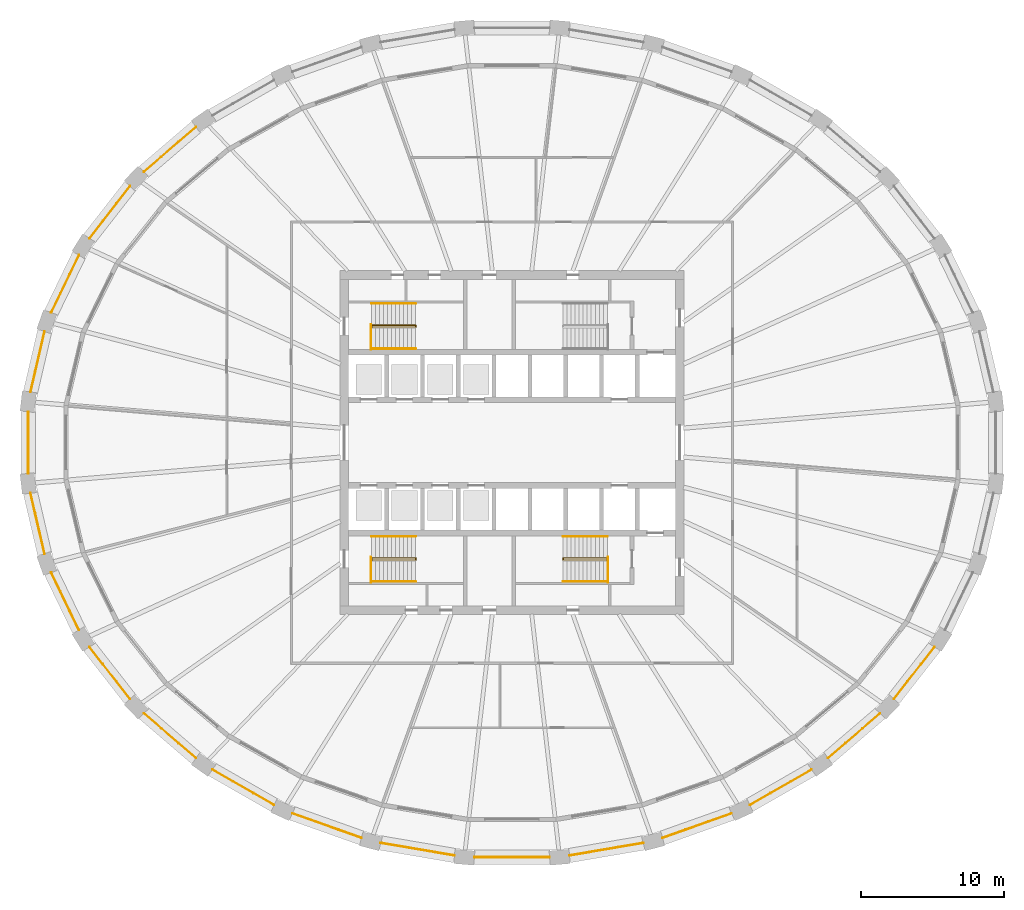
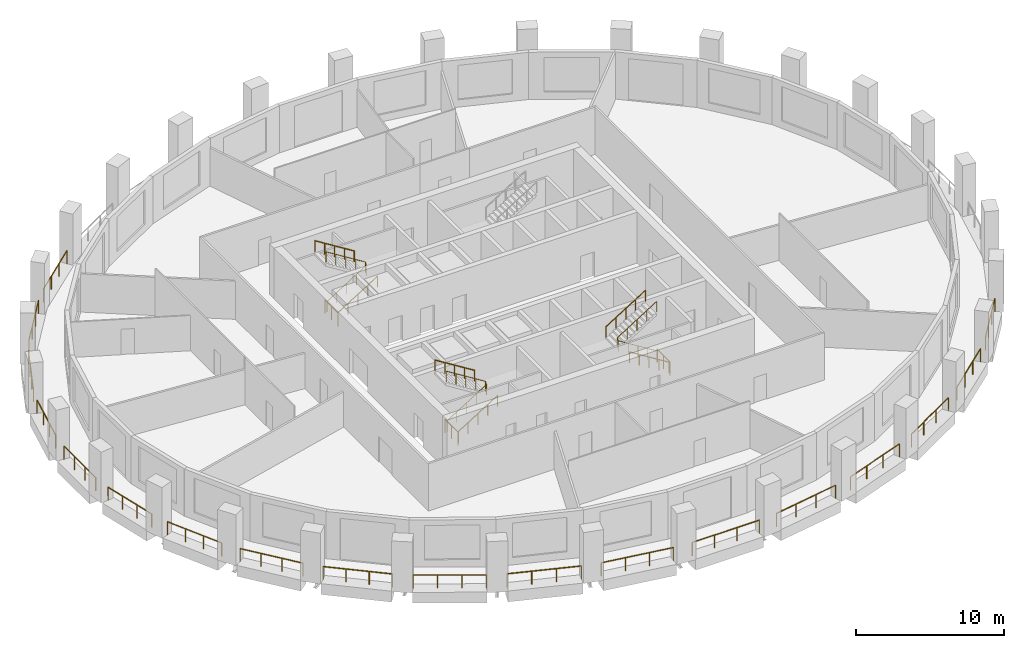
# One storey, part 8 of 10: 30 railings.
"""IFC4 building model written with IfcOpenShell, lengths in metres."""

from ifc_helpers import new_model, si_unit, direction, frame, origin, origin_2d, place, context, subcontext, project, spatial, circle, extrude, material, type_object, element, save


model = new_model("IFC4")

# Units and contexts
model_context = context("Model", 3, precision=1e-05, world=origin(), true_north=direction((0.0, 1.0)))
body_context = subcontext(model_context, "Body", "Model", "MODEL_VIEW")
ifc_project = project(units=[si_unit("LENGTHUNIT", "METRE"), si_unit("AREAUNIT", "SQUARE_METRE"), si_unit("VOLUMEUNIT", "CUBIC_METRE"), si_unit("PLANEANGLEUNIT", "RADIAN"), si_unit("MASSUNIT", "GRAM", prefix="KILO")], contexts=[model_context])

# Site, building, storey
site_placement = place(None, origin())
site = spatial("IfcSite", under=ifc_project, at=site_placement, CompositionType="ELEMENT")
building_placement = place(site_placement, origin())
building = spatial("IfcBuilding", under=site, at=building_placement, Name="Halqa Exchange Tower", CompositionType="ELEMENT")
storey_placement = place(building_placement, frame((0.0, 0.0, 154.89990234375)))
storey = spatial("IfcBuildingStorey", under=building, at=storey_placement, Name="L35", CompositionType="ELEMENT", Elevation=154.89990234375)

# Railings
ifc_material = material(Name="Stainless steel", Category="steel")
railing_type_1 = type_object("IfcRailingType", Name="Guard 1100 stainless steel", PredefinedType="GUARDRAIL", material=ifc_material)
railing_1_placement = place(storey_placement, frame((-22.05078125, 22.02001953125, 0.0)))
element("IfcRailing", 1, at=railing_1_placement, inside=storey, type_object=railing_type_1, Name="Loggia guard 12", PredefinedType="GUARDRAIL", context=body_context, shape_type="SweptSolid", body=[
    extrude(circle(Radius=0.02392578125, at=origin_2d()), frame((0.0, 0.0, 1.076171875), z_axis=(-0.759245815902, -0.650803957452, 0.0), x_axis=(0.650803957452, -0.759245815902, 0.0)), (0.0, 0.0, 1.0), 4.793212890625),
    extrude(circle(Radius=0.02099609375, at=origin_2d()), origin(), (0.0, 0.0, 1.0), 1.052001953125),
    extrude(circle(Radius=0.02099609375, at=origin_2d()), frame((-1.213134765625, -1.039794921875, 0.0)), (0.0, 0.0, 1.0), 1.052001953125),
    extrude(circle(Radius=0.02099609375, at=origin_2d()), frame((-2.426025390625, -2.07958984375, 0.0)), (0.0, 0.0, 1.0), 1.052001953125),
    extrude(circle(Radius=0.02099609375, at=origin_2d()), frame((-3.63916015625, -3.119384765625, 0.0)), (0.0, 0.0, 1.0), 1.052001953125),
])
railing_2_placement = place(storey_placement, frame((-26.65185546875, 17.89306640625, 0.0)))
element("IfcRailing", 2, at=railing_2_placement, inside=storey, type_object=railing_type_1, Name="Loggia guard 13", PredefinedType="GUARDRAIL", context=body_context, shape_type="SweptSolid", body=[
    extrude(circle(Radius=0.02392578125, at=origin_2d()), frame((0.0, 0.0, 1.076171875), z_axis=(-0.614787396714, -0.788692878655, 0.0), x_axis=(0.788692878655, -0.614787396714, 0.0)), (0.0, 0.0, 1.0), 4.60888671875),
    extrude(circle(Radius=0.02099609375, at=origin_2d()), origin(), (0.0, 0.0, 1.0), 1.052001953125),
    extrude(circle(Radius=0.02099609375, at=origin_2d()), frame((-0.944580078125, -1.211669921875, 0.0)), (0.0, 0.0, 1.0), 1.052001953125),
    extrude(circle(Radius=0.02099609375, at=origin_2d()), frame((-1.888916015625, -2.42333984375, 0.0)), (0.0, 0.0, 1.0), 1.052001953125),
    extrude(circle(Radius=0.02099609375, at=origin_2d()), frame((-2.83349609375, -3.635009765625, 0.0)), (0.0, 0.0, 1.0), 1.052001953125),
])
railing_3_placement = place(storey_placement, frame((-30.22021484375, 13.07568359375, 0.0)))
element("IfcRailing", 3, at=railing_3_placement, inside=storey, type_object=railing_type_1, Name="Loggia guard 14", PredefinedType="GUARDRAIL", context=body_context, shape_type="SweptSolid", body=[
    extrude(circle(Radius=0.02392578125, at=origin_2d()), frame((0.0, 0.0, 1.076171875), z_axis=(-0.435143450916, -0.900361137058, 0.0), x_axis=(0.900361137058, -0.435143450916, 0.0)), (0.0, 0.0, 1.0), 4.44873046875),
    extrude(circle(Radius=0.02099609375, at=origin_2d()), origin(), (0.0, 0.0, 1.0), 1.052001953125),
    extrude(circle(Radius=0.02099609375, at=origin_2d()), frame((-0.645263671875, -1.335205078125, 0.0)), (0.0, 0.0, 1.0), 1.052001953125),
    extrude(circle(Radius=0.02099609375, at=origin_2d()), frame((-1.29052734375, -2.670166015625, 0.0)), (0.0, 0.0, 1.0), 1.052001953125),
    extrude(circle(Radius=0.02099609375, at=origin_2d()), frame((-1.935791015625, -4.00537109375, 0.0)), (0.0, 0.0, 1.0), 1.052001953125),
])
railing_4_placement = place(storey_placement, frame((-32.61865234375, 7.75830078125, 0.0)))
element("IfcRailing", 4, at=railing_4_placement, inside=storey, type_object=railing_type_1, Name="Loggia guard 15", PredefinedType="GUARDRAIL", context=body_context, shape_type="SweptSolid", body=[
    extrude(circle(Radius=0.02392578125, at=origin_2d()), frame((0.0, 0.0, 1.076171875), z_axis=(-0.226083943623, -0.974107822798, 0.0), x_axis=(0.974107822798, -0.226083943623, 0.0)), (0.0, 0.0, 1.0), 4.3388671875),
    extrude(circle(Radius=0.02099609375, at=origin_2d()), origin(), (0.0, 0.0, 1.0), 1.052001953125),
    extrude(circle(Radius=0.02099609375, at=origin_2d()), frame((-0.326904296875, -1.408935546875, 0.0)), (0.0, 0.0, 1.0), 1.052001953125),
    extrude(circle(Radius=0.02099609375, at=origin_2d()), frame((-0.654052734375, -2.817626953125, 0.0)), (0.0, 0.0, 1.0), 1.052001953125),
    extrude(circle(Radius=0.02099609375, at=origin_2d()), frame((-0.98095703125, -4.2265625, 0.0)), (0.0, 0.0, 1.0), 1.052001953125),
])
railing_5_placement = place(storey_placement, frame((-33.7578125, 2.14990234375, 0.0)))
element("IfcRailing", 5, at=railing_5_placement, inside=storey, type_object=railing_type_1, Name="Loggia guard 16", PredefinedType="GUARDRAIL", context=body_context, shape_type="SweptSolid", body=[
    extrude(circle(Radius=0.02392578125, at=origin_2d()), frame((0.0, 0.0, 1.076171875), z_axis=(0.0, -1.0, 0.0), x_axis=(1.0, 0.0, 0.0)), (0.0, 0.0, 1.0), 4.2998046875),
    extrude(circle(Radius=0.02099609375, at=origin_2d()), origin(), (0.0, 0.0, 1.0), 1.052001953125),
    extrude(circle(Radius=0.02099609375, at=origin_2d()), frame((0.0, -1.433349609375, 0.0)), (0.0, 0.0, 1.0), 1.052001953125),
    extrude(circle(Radius=0.02099609375, at=origin_2d()), frame((0.0, -2.866455078125, 0.0)), (0.0, 0.0, 1.0), 1.052001953125),
    extrude(circle(Radius=0.02099609375, at=origin_2d()), frame((0.0, -4.2998046875, 0.0)), (0.0, 0.0, 1.0), 1.052001953125),
])
railing_6_placement = place(storey_placement, frame((-33.599609375, -3.53173828125, 0.0)))
element("IfcRailing", 6, at=railing_6_placement, inside=storey, type_object=railing_type_1, Name="Loggia guard 17", PredefinedType="GUARDRAIL", context=body_context, shape_type="SweptSolid", body=[
    extrude(circle(Radius=0.02392578125, at=origin_2d()), frame((0.0, 0.0, 1.076171875), z_axis=(0.226083943623, -0.974107822798, 0.0), x_axis=(0.974107822798, 0.226083943623, 0.0)), (0.0, 0.0, 1.0), 4.3388671875),
    extrude(circle(Radius=0.02099609375, at=origin_2d()), origin(), (0.0, 0.0, 1.0), 1.052001953125),
    extrude(circle(Radius=0.02099609375, at=origin_2d()), frame((0.326904296875, -1.408935546875, 0.0)), (0.0, 0.0, 1.0), 1.052001953125),
    extrude(circle(Radius=0.02099609375, at=origin_2d()), frame((0.654052734375, -2.817626953125, 0.0)), (0.0, 0.0, 1.0), 1.052001953125),
    extrude(circle(Radius=0.02099609375, at=origin_2d()), frame((0.98095703125, -4.2265625, 0.0)), (0.0, 0.0, 1.0), 1.052001953125),
])
railing_7_placement = place(storey_placement, frame((-32.156005859375, -9.0703125, 0.0)))
element("IfcRailing", 7, at=railing_7_placement, inside=storey, type_object=railing_type_1, Name="Loggia guard 18", PredefinedType="GUARDRAIL", context=body_context, shape_type="SweptSolid", body=[
    extrude(circle(Radius=0.02392578125, at=origin_2d()), frame((0.0, 0.0, 1.076171875), z_axis=(0.435143450916, -0.900361137058, 0.0), x_axis=(0.900361137058, 0.435143450916, 0.0)), (0.0, 0.0, 1.0), 4.44873046875),
    extrude(circle(Radius=0.02099609375, at=origin_2d()), origin(), (0.0, 0.0, 1.0), 1.052001953125),
    extrude(circle(Radius=0.02099609375, at=origin_2d()), frame((0.645263671875, -1.335205078125, 0.0)), (0.0, 0.0, 1.0), 1.052001953125),
    extrude(circle(Radius=0.02099609375, at=origin_2d()), frame((1.29052734375, -2.670166015625, 0.0)), (0.0, 0.0, 1.0), 1.052001953125),
    extrude(circle(Radius=0.02099609375, at=origin_2d()), frame((1.935791015625, -4.00537109375, 0.0)), (0.0, 0.0, 1.0), 1.052001953125),
])
railing_8_placement = place(storey_placement, frame((-29.4853515625, -14.258056640625, 0.0)))
element("IfcRailing", 8, at=railing_8_placement, inside=storey, type_object=railing_type_1, Name="Loggia guard 19", PredefinedType="GUARDRAIL", context=body_context, shape_type="SweptSolid", body=[
    extrude(circle(Radius=0.02392578125, at=origin_2d()), frame((0.0, 0.0, 1.076171875), z_axis=(0.614787396714, -0.788692878655, 0.0), x_axis=(0.788692878655, 0.614787396714, 0.0)), (0.0, 0.0, 1.0), 4.60888671875),
    extrude(circle(Radius=0.02099609375, at=origin_2d()), origin(), (0.0, 0.0, 1.0), 1.052001953125),
    extrude(circle(Radius=0.02099609375, at=origin_2d()), frame((0.944580078125, -1.211669921875, 0.0)), (0.0, 0.0, 1.0), 1.052001953125),
    extrude(circle(Radius=0.02099609375, at=origin_2d()), frame((1.888916015625, -2.42333984375, 0.0)), (0.0, 0.0, 1.0), 1.052001953125),
    extrude(circle(Radius=0.02099609375, at=origin_2d()), frame((2.83349609375, -3.635009765625, 0.0)), (0.0, 0.0, 1.0), 1.052001953125),
])
railing_9_placement = place(storey_placement, frame((-25.68994140625, -18.900634765625, 0.0)))
element("IfcRailing", 9, at=railing_9_placement, inside=storey, type_object=railing_type_1, Name="Loggia guard 20", PredefinedType="GUARDRAIL", context=body_context, shape_type="SweptSolid", body=[
    extrude(circle(Radius=0.02392578125, at=origin_2d()), frame((0.0, 0.0, 1.076171875), z_axis=(0.759245815902, -0.650803957452, 0.0), x_axis=(0.650803957452, 0.759245815902, 0.0)), (0.0, 0.0, 1.0), 4.793212890625),
    extrude(circle(Radius=0.02099609375, at=origin_2d()), origin(), (0.0, 0.0, 1.0), 1.052001953125),
    extrude(circle(Radius=0.02099609375, at=origin_2d()), frame((1.213134765625, -1.039794921875, 0.0)), (0.0, 0.0, 1.0), 1.052001953125),
    extrude(circle(Radius=0.02099609375, at=origin_2d()), frame((2.426025390625, -2.07958984375, 0.0)), (0.0, 0.0, 1.0), 1.052001953125),
    extrude(circle(Radius=0.02099609375, at=origin_2d()), frame((3.63916015625, -3.119384765625, 0.0)), (0.0, 0.0, 1.0), 1.052001953125),
])
railing_10_placement = place(storey_placement, frame((-20.911865234375, -22.8232421875, 0.0)))
element("IfcRailing", 10, at=railing_10_placement, inside=storey, type_object=railing_type_1, Name="Loggia guard 21", PredefinedType="GUARDRAIL", context=body_context, shape_type="SweptSolid", body=[
    extrude(circle(Radius=0.02392578125, at=origin_2d()), frame((0.0, 0.0, 1.076171875), z_axis=(0.867750144397, -0.497000691044, 0.0), x_axis=(0.497000691044, 0.867750144397, 0.0)), (0.0, 0.0, 1.0), 4.9716796875),
    extrude(circle(Radius=0.02099609375, at=origin_2d()), origin(), (0.0, 0.0, 1.0), 1.052001953125),
    extrude(circle(Radius=0.02099609375, at=origin_2d()), frame((1.43798828125, -0.82373046875, 0.0)), (0.0, 0.0, 1.0), 1.052001953125),
    extrude(circle(Radius=0.02099609375, at=origin_2d()), frame((2.876220703125, -1.647216796875, 0.0)), (0.0, 0.0, 1.0), 1.052001953125),
    extrude(circle(Radius=0.02099609375, at=origin_2d()), frame((4.314208984375, -2.470947265625, 0.0)), (0.0, 0.0, 1.0), 1.052001953125),
])
railing_11_placement = place(storey_placement, frame((-15.33056640625, -25.876220703125, 0.0)))
element("IfcRailing", 11, at=railing_11_placement, inside=storey, type_object=railing_type_1, Name="Loggia guard 22", PredefinedType="GUARDRAIL", context=body_context, shape_type="SweptSolid", body=[
    extrude(circle(Radius=0.02392578125, at=origin_2d()), frame((0.0, 0.0, 1.076171875), z_axis=(0.942356449768, -0.334610701532, 0.0), x_axis=(0.334610701532, 0.942356449768, 0.0)), (0.0, 0.0, 1.0), 5.119140625),
    extrude(circle(Radius=0.02099609375, at=origin_2d()), origin(), (0.0, 0.0, 1.0), 1.052001953125),
    extrude(circle(Radius=0.02099609375, at=origin_2d()), frame((1.60791015625, -0.571044921875, 0.0)), (0.0, 0.0, 1.0), 1.052001953125),
    extrude(circle(Radius=0.02099609375, at=origin_2d()), frame((3.216064453125, -1.141845703125, 0.0)), (0.0, 0.0, 1.0), 1.052001953125),
    extrude(circle(Radius=0.02099609375, at=origin_2d()), frame((4.823974609375, -1.712890625, 0.0)), (0.0, 0.0, 1.0), 1.052001953125),
])
railing_12_placement = place(storey_placement, frame((-9.15673828125, -27.94091796875, 0.0)))
element("IfcRailing", 12, at=railing_12_placement, inside=storey, type_object=railing_type_1, Name="Loggia guard 23", PredefinedType="GUARDRAIL", context=body_context, shape_type="SweptSolid", body=[
    extrude(circle(Radius=0.02392578125, at=origin_2d()), frame((0.0, 0.0, 1.076171875), z_axis=(0.985781275518, -0.168033558668, 0.0), x_axis=(0.168033558668, 0.985781275518, 0.0)), (0.0, 0.0, 1.0), 5.216064453125),
    extrude(circle(Radius=0.02099609375, at=origin_2d()), origin(), (0.0, 0.0, 1.0), 1.052001953125),
    extrude(circle(Radius=0.02099609375, at=origin_2d()), frame((1.7138671875, -0.292236328125, 0.0)), (0.0, 0.0, 1.0), 1.052001953125),
    extrude(circle(Radius=0.02099609375, at=origin_2d()), frame((3.427978515625, -0.584228515625, 0.0)), (0.0, 0.0, 1.0), 1.052001953125),
    extrude(circle(Radius=0.02099609375, at=origin_2d()), frame((5.141845703125, -0.87646484375, 0.0)), (0.0, 0.0, 1.0), 1.052001953125),
])
railing_13_placement = place(storey_placement, frame((-2.624755859375, -28.935302734375, 0.0)))
element("IfcRailing", 13, at=railing_13_placement, inside=storey, type_object=railing_type_1, Name="Loggia guard 24", PredefinedType="GUARDRAIL", context=body_context, shape_type="SweptSolid", body=[
    extrude(circle(Radius=0.02392578125, at=origin_2d()), frame((0.0, 0.0, 1.076171875), z_axis=(1.0, 0.0, 0.0), x_axis=(0.0, 1.0, 0.0)), (0.0, 0.0, 1.0), 5.24951171875),
    extrude(circle(Radius=0.02099609375, at=origin_2d()), origin(), (0.0, 0.0, 1.0), 1.052001953125),
    extrude(circle(Radius=0.02099609375, at=origin_2d()), frame((1.749755859375, 0.0, 0.0)), (0.0, 0.0, 1.0), 1.052001953125),
    extrude(circle(Radius=0.02099609375, at=origin_2d()), frame((3.499755859375, 0.0, 0.0)), (0.0, 0.0, 1.0), 1.052001953125),
    extrude(circle(Radius=0.02099609375, at=origin_2d()), frame((5.24951171875, 0.0, 0.0)), (0.0, 0.0, 1.0), 1.052001953125),
])
railing_14_placement = place(storey_placement, frame((4.014892578125, -28.8173828125, 0.0)))
element("IfcRailing", 14, at=railing_14_placement, inside=storey, type_object=railing_type_1, Name="Loggia guard 25", PredefinedType="GUARDRAIL", context=body_context, shape_type="SweptSolid", body=[
    extrude(circle(Radius=0.02392578125, at=origin_2d()), frame((0.0, 0.0, 1.076171875), z_axis=(0.985781275518, 0.168033558668, 0.0), x_axis=(-0.168033558668, 0.985781275518, 0.0)), (0.0, 0.0, 1.0), 5.216064453125),
    extrude(circle(Radius=0.02099609375, at=origin_2d()), origin(), (0.0, 0.0, 1.0), 1.052001953125),
    extrude(circle(Radius=0.02099609375, at=origin_2d()), frame((1.7138671875, 0.292236328125, 0.0)), (0.0, 0.0, 1.0), 1.052001953125),
    extrude(circle(Radius=0.02099609375, at=origin_2d()), frame((3.427978515625, 0.584228515625, 0.0)), (0.0, 0.0, 1.0), 1.052001953125),
    extrude(circle(Radius=0.02099609375, at=origin_2d()), frame((5.141845703125, 0.87646484375, 0.0)), (0.0, 0.0, 1.0), 1.052001953125),
])
railing_15_placement = place(storey_placement, frame((10.506591796875, -27.589111328125, 0.0)))
element("IfcRailing", 15, at=railing_15_placement, inside=storey, type_object=railing_type_1, Name="Loggia guard 26", PredefinedType="GUARDRAIL", context=body_context, shape_type="SweptSolid", body=[
    extrude(circle(Radius=0.02392578125, at=origin_2d()), frame((0.0, 0.0, 1.076171875), z_axis=(0.942356449768, 0.334610701532, 0.0), x_axis=(-0.334610701532, 0.942356449768, 0.0)), (0.0, 0.0, 1.0), 5.119140625),
    extrude(circle(Radius=0.02099609375, at=origin_2d()), origin(), (0.0, 0.0, 1.0), 1.052001953125),
    extrude(circle(Radius=0.02099609375, at=origin_2d()), frame((1.60791015625, 0.571044921875, 0.0)), (0.0, 0.0, 1.0), 1.052001953125),
    extrude(circle(Radius=0.02099609375, at=origin_2d()), frame((3.216064453125, 1.141845703125, 0.0)), (0.0, 0.0, 1.0), 1.052001953125),
    extrude(circle(Radius=0.02099609375, at=origin_2d()), frame((4.823974609375, 1.712890625, 0.0)), (0.0, 0.0, 1.0), 1.052001953125),
])
railing_16_placement = place(storey_placement, frame((16.59765625, -25.294189453125, 0.0)))
element("IfcRailing", 16, at=railing_16_placement, inside=storey, type_object=railing_type_1, Name="Loggia guard 27", PredefinedType="GUARDRAIL", context=body_context, shape_type="SweptSolid", body=[
    extrude(circle(Radius=0.02392578125, at=origin_2d()), frame((0.0, 0.0, 1.076171875), z_axis=(0.867750144397, 0.497000691044, 0.0), x_axis=(-0.497000691044, 0.867750144397, 0.0)), (0.0, 0.0, 1.0), 4.9716796875),
    extrude(circle(Radius=0.02099609375, at=origin_2d()), origin(), (0.0, 0.0, 1.0), 1.052001953125),
    extrude(circle(Radius=0.02099609375, at=origin_2d()), frame((1.43798828125, 0.82373046875, 0.0)), (0.0, 0.0, 1.0), 1.052001953125),
    extrude(circle(Radius=0.02099609375, at=origin_2d()), frame((2.876220703125, 1.647216796875, 0.0)), (0.0, 0.0, 1.0), 1.052001953125),
    extrude(circle(Radius=0.02099609375, at=origin_2d()), frame((4.314208984375, 2.470947265625, 0.0)), (0.0, 0.0, 1.0), 1.052001953125),
])
railing_17_placement = place(storey_placement, frame((22.05078125, -22.02001953125, 0.0)))
element("IfcRailing", 17, at=railing_17_placement, inside=storey, type_object=railing_type_1, Name="Loggia guard 28", PredefinedType="GUARDRAIL", context=body_context, shape_type="SweptSolid", body=[
    extrude(circle(Radius=0.02392578125, at=origin_2d()), frame((0.0, 0.0, 1.076171875), z_axis=(0.759245815902, 0.650803957452, 0.0), x_axis=(-0.650803957452, 0.759245815902, 0.0)), (0.0, 0.0, 1.0), 4.793212890625),
    extrude(circle(Radius=0.02099609375, at=origin_2d()), origin(), (0.0, 0.0, 1.0), 1.052001953125),
    extrude(circle(Radius=0.02099609375, at=origin_2d()), frame((1.213134765625, 1.039794921875, 0.0)), (0.0, 0.0, 1.0), 1.052001953125),
    extrude(circle(Radius=0.02099609375, at=origin_2d()), frame((2.426025390625, 2.07958984375, 0.0)), (0.0, 0.0, 1.0), 1.052001953125),
    extrude(circle(Radius=0.02099609375, at=origin_2d()), frame((3.63916015625, 3.119384765625, 0.0)), (0.0, 0.0, 1.0), 1.052001953125),
])
railing_18_placement = place(storey_placement, frame((26.65185546875, -17.89306640625, 0.0)))
element("IfcRailing", 18, at=railing_18_placement, inside=storey, type_object=railing_type_1, Name="Loggia guard 29", PredefinedType="GUARDRAIL", context=body_context, shape_type="SweptSolid", body=[
    extrude(circle(Radius=0.02392578125, at=origin_2d()), frame((0.0, 0.0, 1.076171875), z_axis=(0.614787396714, 0.788692878655, 0.0), x_axis=(-0.788692878655, 0.614787396714, 0.0)), (0.0, 0.0, 1.0), 4.60888671875),
    extrude(circle(Radius=0.02099609375, at=origin_2d()), origin(), (0.0, 0.0, 1.0), 1.052001953125),
    extrude(circle(Radius=0.02099609375, at=origin_2d()), frame((0.944580078125, 1.211669921875, 0.0)), (0.0, 0.0, 1.0), 1.052001953125),
    extrude(circle(Radius=0.02099609375, at=origin_2d()), frame((1.888916015625, 2.42333984375, 0.0)), (0.0, 0.0, 1.0), 1.052001953125),
    extrude(circle(Radius=0.02099609375, at=origin_2d()), frame((2.83349609375, 3.635009765625, 0.0)), (0.0, 0.0, 1.0), 1.052001953125),
])
railing_type_2 = type_object("IfcRailingType", Name="Stair handrail 900", PredefinedType="HANDRAIL", material=ifc_material)
railing_19_placement = place(storey_placement, frame((-9.800048828125, 8.06005859375, 0.175048828125)))
element("IfcRailing", 19, at=railing_19_placement, inside=storey, type_object=railing_type_2, Name="Handrail ST1.1", PredefinedType="HANDRAIL", context=body_context, shape_type="SweptSolid", body=[
    extrude(circle(Radius=0.02392578125, at=origin_2d()), frame((0.0, 0.0, 0.8759765625), z_axis=(0.847998304005, 0.0, 0.529998940003), x_axis=(0.0, 1.0, 0.0)), (0.0, 0.0, 1.0), 3.632080078125),
    extrude(circle(Radius=0.02392578125, at=origin_2d()), frame((3.080078125, 0.0, 2.80078125), z_axis=(0.0, 0.595870227118, 0.803080738428), x_axis=(-1.0, 0.0, 0.0)), (0.0, 0.0, 1.0), 0.218017578125),
    extrude(circle(Radius=0.02392578125, at=origin_2d()), frame((3.080078125, 0.1298828125, 2.97607421875), z_axis=(-0.847998304005, 0.0, 0.529998940003), x_axis=(0.0, -1.0, 0.0)), (0.0, 0.0, 1.0), 3.632080078125),
    extrude(circle(Radius=0.02099609375, at=origin_2d()), origin(), (0.0, 0.0, 1.0), 0.851806640625),
    extrude(circle(Radius=0.02099609375, at=origin_2d()), frame((0.77001953125, 0.0, 0.481201171875)), (0.0, 0.0, 1.0), 0.851806640625),
    extrude(circle(Radius=0.02099609375, at=origin_2d()), frame((1.5400390625, 0.0, 0.96240234375)), (0.0, 0.0, 1.0), 0.851806640625),
    extrude(circle(Radius=0.02099609375, at=origin_2d()), frame((2.31005859375, 0.0, 1.44384765625)), (0.0, 0.0, 1.0), 0.851806640625),
    extrude(circle(Radius=0.02099609375, at=origin_2d()), frame((3.080078125, 0.0, 1.925048828125)), (0.0, 0.0, 1.0), 0.851806640625),
    extrude(circle(Radius=0.02099609375, at=origin_2d()), frame((3.080078125, 0.1298828125, 2.10009765625)), (0.0, 0.0, 1.0), 0.851806640625),
    extrude(circle(Radius=0.02099609375, at=origin_2d()), frame((2.31005859375, 0.1298828125, 2.581298828125)), (0.0, 0.0, 1.0), 0.851806640625),
    extrude(circle(Radius=0.02099609375, at=origin_2d()), frame((1.5400390625, 0.1298828125, 3.0625)), (0.0, 0.0, 1.0), 0.851806640625),
    extrude(circle(Radius=0.02099609375, at=origin_2d()), frame((0.77001953125, 0.1298828125, 3.5439453125)), (0.0, 0.0, 1.0), 0.851806640625),
    extrude(circle(Radius=0.02099609375, at=origin_2d()), frame((0.0, 0.1298828125, 4.025146484375)), (0.0, 0.0, 1.0), 0.851806640625),
])
railing_20_placement = place(storey_placement, frame((-9.800048828125, 6.550048828125, 0.175048828125)))
element("IfcRailing", 20, at=railing_20_placement, inside=storey, type_object=railing_type_2, Name="Handrail ST1.2", PredefinedType="HANDRAIL", context=body_context, shape_type="SweptSolid", body=[
    extrude(circle(Radius=0.02392578125, at=origin_2d()), frame((0.0, 0.0, 0.8759765625), z_axis=(0.847998304005, 0.0, 0.529998940003), x_axis=(0.0, 1.0, 0.0)), (0.0, 0.0, 1.0), 3.632080078125),
    extrude(circle(Radius=0.02099609375, at=origin_2d()), origin(), (0.0, 0.0, 1.0), 0.851806640625),
    extrude(circle(Radius=0.02099609375, at=origin_2d()), frame((0.77001953125, 0.0, 0.481201171875)), (0.0, 0.0, 1.0), 0.851806640625),
    extrude(circle(Radius=0.02099609375, at=origin_2d()), frame((1.5400390625, 0.0, 0.96240234375)), (0.0, 0.0, 1.0), 0.851806640625),
    extrude(circle(Radius=0.02099609375, at=origin_2d()), frame((2.31005859375, 0.0, 1.44384765625)), (0.0, 0.0, 1.0), 0.851806640625),
    extrude(circle(Radius=0.02099609375, at=origin_2d()), frame((3.080078125, 0.0, 1.925048828125)), (0.0, 0.0, 1.0), 0.851806640625),
])
railing_21_placement = place(storey_placement, frame((-6.719970703125, 9.699951171875, 2.275146484375)))
element("IfcRailing", 21, at=railing_21_placement, inside=storey, type_object=railing_type_2, Name="Handrail ST1.3", PredefinedType="HANDRAIL", context=body_context, shape_type="SweptSolid", body=[
    extrude(circle(Radius=0.02392578125, at=origin_2d()), frame((0.0, 0.0, 0.8759765625), z_axis=(-0.847998304005, 0.0, 0.529998940003), x_axis=(0.0, -1.0, 0.0)), (0.0, 0.0, 1.0), 3.632080078125),
    extrude(circle(Radius=0.02099609375, at=origin_2d()), origin(), (0.0, 0.0, 1.0), 0.851806640625),
    extrude(circle(Radius=0.02099609375, at=origin_2d()), frame((-0.77001953125, 0.0, 0.481201171875)), (0.0, 0.0, 1.0), 0.851806640625),
    extrude(circle(Radius=0.02099609375, at=origin_2d()), frame((-1.5400390625, 0.0, 0.96240234375)), (0.0, 0.0, 1.0), 0.851806640625),
    extrude(circle(Radius=0.02099609375, at=origin_2d()), frame((-2.31005859375, 0.0, 1.44384765625)), (0.0, 0.0, 1.0), 0.851806640625),
    extrude(circle(Radius=0.02099609375, at=origin_2d()), frame((-3.080078125, 0.0, 1.925048828125)), (0.0, 0.0, 1.0), 0.851806640625),
])
railing_22_placement = place(storey_placement, frame((-9.800048828125, -8.18994140625, 0.175048828125)))
element("IfcRailing", 22, at=railing_22_placement, inside=storey, type_object=railing_type_2, Name="Handrail ST3.1", PredefinedType="HANDRAIL", context=body_context, shape_type="SweptSolid", body=[
    extrude(circle(Radius=0.02392578125, at=origin_2d()), frame((0.0, 0.0, 0.8759765625), z_axis=(0.847998304005, 0.0, 0.529998940003), x_axis=(0.0, 1.0, 0.0)), (0.0, 0.0, 1.0), 3.632080078125),
    extrude(circle(Radius=0.02392578125, at=origin_2d()), frame((3.080078125, 0.0, 2.80078125), z_axis=(0.0, 0.595870227118, 0.803080738428), x_axis=(-1.0, 0.0, 0.0)), (0.0, 0.0, 1.0), 0.218017578125),
    extrude(circle(Radius=0.02392578125, at=origin_2d()), frame((3.080078125, 0.1298828125, 2.97607421875), z_axis=(-0.847998304005, 0.0, 0.529998940003), x_axis=(0.0, -1.0, 0.0)), (0.0, 0.0, 1.0), 3.632080078125),
    extrude(circle(Radius=0.02099609375, at=origin_2d()), origin(), (0.0, 0.0, 1.0), 0.851806640625),
    extrude(circle(Radius=0.02099609375, at=origin_2d()), frame((0.77001953125, 0.0, 0.481201171875)), (0.0, 0.0, 1.0), 0.851806640625),
    extrude(circle(Radius=0.02099609375, at=origin_2d()), frame((1.5400390625, 0.0, 0.96240234375)), (0.0, 0.0, 1.0), 0.851806640625),
    extrude(circle(Radius=0.02099609375, at=origin_2d()), frame((2.31005859375, 0.0, 1.44384765625)), (0.0, 0.0, 1.0), 0.851806640625),
    extrude(circle(Radius=0.02099609375, at=origin_2d()), frame((3.080078125, 0.0, 1.925048828125)), (0.0, 0.0, 1.0), 0.851806640625),
    extrude(circle(Radius=0.02099609375, at=origin_2d()), frame((3.080078125, 0.1298828125, 2.10009765625)), (0.0, 0.0, 1.0), 0.851806640625),
    extrude(circle(Radius=0.02099609375, at=origin_2d()), frame((2.31005859375, 0.1298828125, 2.581298828125)), (0.0, 0.0, 1.0), 0.851806640625),
    extrude(circle(Radius=0.02099609375, at=origin_2d()), frame((1.5400390625, 0.1298828125, 3.0625)), (0.0, 0.0, 1.0), 0.851806640625),
    extrude(circle(Radius=0.02099609375, at=origin_2d()), frame((0.77001953125, 0.1298828125, 3.5439453125)), (0.0, 0.0, 1.0), 0.851806640625),
    extrude(circle(Radius=0.02099609375, at=origin_2d()), frame((0.0, 0.1298828125, 4.025146484375)), (0.0, 0.0, 1.0), 0.851806640625),
])
railing_23_placement = place(storey_placement, frame((-9.800048828125, -9.699951171875, 0.175048828125)))
element("IfcRailing", 23, at=railing_23_placement, inside=storey, type_object=railing_type_2, Name="Handrail ST3.2", PredefinedType="HANDRAIL", context=body_context, shape_type="SweptSolid", body=[
    extrude(circle(Radius=0.02392578125, at=origin_2d()), frame((0.0, 0.0, 0.8759765625), z_axis=(0.847998304005, 0.0, 0.529998940003), x_axis=(0.0, 1.0, 0.0)), (0.0, 0.0, 1.0), 3.632080078125),
    extrude(circle(Radius=0.02099609375, at=origin_2d()), origin(), (0.0, 0.0, 1.0), 0.851806640625),
    extrude(circle(Radius=0.02099609375, at=origin_2d()), frame((0.77001953125, 0.0, 0.481201171875)), (0.0, 0.0, 1.0), 0.851806640625),
    extrude(circle(Radius=0.02099609375, at=origin_2d()), frame((1.5400390625, 0.0, 0.96240234375)), (0.0, 0.0, 1.0), 0.851806640625),
    extrude(circle(Radius=0.02099609375, at=origin_2d()), frame((2.31005859375, 0.0, 1.44384765625)), (0.0, 0.0, 1.0), 0.851806640625),
    extrude(circle(Radius=0.02099609375, at=origin_2d()), frame((3.080078125, 0.0, 1.925048828125)), (0.0, 0.0, 1.0), 0.851806640625),
])
railing_24_placement = place(storey_placement, frame((-6.719970703125, -6.550048828125, 2.275146484375)))
element("IfcRailing", 24, at=railing_24_placement, inside=storey, type_object=railing_type_2, Name="Handrail ST3.3", PredefinedType="HANDRAIL", context=body_context, shape_type="SweptSolid", body=[
    extrude(circle(Radius=0.02392578125, at=origin_2d()), frame((0.0, 0.0, 0.8759765625), z_axis=(-0.847998304005, 0.0, 0.529998940003), x_axis=(0.0, -1.0, 0.0)), (0.0, 0.0, 1.0), 3.632080078125),
    extrude(circle(Radius=0.02099609375, at=origin_2d()), origin(), (0.0, 0.0, 1.0), 0.851806640625),
    extrude(circle(Radius=0.02099609375, at=origin_2d()), frame((-0.77001953125, 0.0, 0.481201171875)), (0.0, 0.0, 1.0), 0.851806640625),
    extrude(circle(Radius=0.02099609375, at=origin_2d()), frame((-1.5400390625, 0.0, 0.96240234375)), (0.0, 0.0, 1.0), 0.851806640625),
    extrude(circle(Radius=0.02099609375, at=origin_2d()), frame((-2.31005859375, 0.0, 1.44384765625)), (0.0, 0.0, 1.0), 0.851806640625),
    extrude(circle(Radius=0.02099609375, at=origin_2d()), frame((-3.080078125, 0.0, 1.925048828125)), (0.0, 0.0, 1.0), 0.851806640625),
])
railing_25_placement = place(storey_placement, frame((6.64990234375, -8.18994140625, 0.175048828125)))
element("IfcRailing", 25, at=railing_25_placement, inside=storey, type_object=railing_type_2, Name="Handrail ST4.1", PredefinedType="HANDRAIL", context=body_context, shape_type="SweptSolid", body=[
    extrude(circle(Radius=0.02392578125, at=origin_2d()), frame((0.0, 0.0, 0.8759765625), z_axis=(-0.847979421464, 0.0, 0.530029150871), x_axis=(0.0, -1.0, 0.0)), (0.0, 0.0, 1.0), 3.632080078125),
    extrude(circle(Radius=0.02392578125, at=origin_2d()), frame((-3.079833984375, 0.0, 2.80078125), z_axis=(0.0, 0.595870227118, 0.803080738428), x_axis=(-1.0, 0.0, 0.0)), (0.0, 0.0, 1.0), 0.218017578125),
    extrude(circle(Radius=0.02392578125, at=origin_2d()), frame((-3.079833984375, 0.1298828125, 2.97607421875), z_axis=(0.847979421464, 0.0, 0.530029150871), x_axis=(0.0, 1.0, 0.0)), (0.0, 0.0, 1.0), 3.632080078125),
    extrude(circle(Radius=0.02099609375, at=origin_2d()), origin(), (0.0, 0.0, 1.0), 0.851806640625),
    extrude(circle(Radius=0.02099609375, at=origin_2d()), frame((-0.77001953125, 0.0, 0.481201171875)), (0.0, 0.0, 1.0), 0.851806640625),
    extrude(circle(Radius=0.02099609375, at=origin_2d()), frame((-1.5400390625, 0.0, 0.96240234375)), (0.0, 0.0, 1.0), 0.851806640625),
    extrude(circle(Radius=0.02099609375, at=origin_2d()), frame((-2.309814453125, 0.0, 1.44384765625)), (0.0, 0.0, 1.0), 0.851806640625),
    extrude(circle(Radius=0.02099609375, at=origin_2d()), frame((-3.079833984375, 0.0, 1.925048828125)), (0.0, 0.0, 1.0), 0.851806640625),
    extrude(circle(Radius=0.02099609375, at=origin_2d()), frame((-3.079833984375, 0.1298828125, 2.10009765625)), (0.0, 0.0, 1.0), 0.851806640625),
    extrude(circle(Radius=0.02099609375, at=origin_2d()), frame((-2.309814453125, 0.1298828125, 2.581298828125)), (0.0, 0.0, 1.0), 0.851806640625),
    extrude(circle(Radius=0.02099609375, at=origin_2d()), frame((-1.5400390625, 0.1298828125, 3.0625)), (0.0, 0.0, 1.0), 0.851806640625),
    extrude(circle(Radius=0.02099609375, at=origin_2d()), frame((-0.77001953125, 0.1298828125, 3.5439453125)), (0.0, 0.0, 1.0), 0.851806640625),
    extrude(circle(Radius=0.02099609375, at=origin_2d()), frame((0.0, 0.1298828125, 4.025146484375)), (0.0, 0.0, 1.0), 0.851806640625),
])
railing_26_placement = place(storey_placement, frame((6.64990234375, -9.699951171875, 0.175048828125)))
element("IfcRailing", 26, at=railing_26_placement, inside=storey, type_object=railing_type_2, Name="Handrail ST4.2", PredefinedType="HANDRAIL", context=body_context, shape_type="SweptSolid", body=[
    extrude(circle(Radius=0.02392578125, at=origin_2d()), frame((0.0, 0.0, 0.8759765625), z_axis=(-0.847979421464, 0.0, 0.530029150871), x_axis=(0.0, -1.0, 0.0)), (0.0, 0.0, 1.0), 3.632080078125),
    extrude(circle(Radius=0.02099609375, at=origin_2d()), origin(), (0.0, 0.0, 1.0), 0.851806640625),
    extrude(circle(Radius=0.02099609375, at=origin_2d()), frame((-0.77001953125, 0.0, 0.481201171875)), (0.0, 0.0, 1.0), 0.851806640625),
    extrude(circle(Radius=0.02099609375, at=origin_2d()), frame((-1.5400390625, 0.0, 0.96240234375)), (0.0, 0.0, 1.0), 0.851806640625),
    extrude(circle(Radius=0.02099609375, at=origin_2d()), frame((-2.309814453125, 0.0, 1.44384765625)), (0.0, 0.0, 1.0), 0.851806640625),
    extrude(circle(Radius=0.02099609375, at=origin_2d()), frame((-3.079833984375, 0.0, 1.925048828125)), (0.0, 0.0, 1.0), 0.851806640625),
])
railing_27_placement = place(storey_placement, frame((3.570068359375, -6.550048828125, 2.275146484375)))
element("IfcRailing", 27, at=railing_27_placement, inside=storey, type_object=railing_type_2, Name="Handrail ST4.3", PredefinedType="HANDRAIL", context=body_context, shape_type="SweptSolid", body=[
    extrude(circle(Radius=0.02392578125, at=origin_2d()), frame((0.0, 0.0, 0.8759765625), z_axis=(0.847979421464, 0.0, 0.530029150871), x_axis=(0.0, 1.0, 0.0)), (0.0, 0.0, 1.0), 3.632080078125),
    extrude(circle(Radius=0.02099609375, at=origin_2d()), origin(), (0.0, 0.0, 1.0), 0.851806640625),
    extrude(circle(Radius=0.02099609375, at=origin_2d()), frame((0.77001953125, 0.0, 0.481201171875)), (0.0, 0.0, 1.0), 0.851806640625),
    extrude(circle(Radius=0.02099609375, at=origin_2d()), frame((1.5400390625, 0.0, 0.96240234375)), (0.0, 0.0, 1.0), 0.851806640625),
    extrude(circle(Radius=0.02099609375, at=origin_2d()), frame((2.309814453125, 0.0, 1.44384765625)), (0.0, 0.0, 1.0), 0.851806640625),
    extrude(circle(Radius=0.02099609375, at=origin_2d()), frame((3.079833984375, 0.0, 1.925048828125)), (0.0, 0.0, 1.0), 0.851806640625),
])
railing_type_3 = type_object("IfcRailingType", Name="Stair well guard 1100", PredefinedType="GUARDRAIL", material=ifc_material)
for number, where, name in (
    (28, (-9.85009765625, 6.5, 0.0), "Guard ST1 well"),
    (29, (-9.85009765625, -9.75, 0.0), "Guard ST3 well"),
    (30, (6.699951171875, -9.75, 0.0), "Guard ST4 well"),
):
    element("IfcRailing", number, at=place(storey_placement, frame(where)), inside=storey, type_object=railing_type_3, Name=name, PredefinedType="GUARDRAIL", context=body_context, shape_type="SweptSolid", body=[
        extrude(circle(Radius=0.02392578125, at=origin_2d()), frame((0.0, 0.0, 1.076171875), z_axis=(0.0, 1.0, 0.0), x_axis=(-1.0, 0.0, 0.0)), (0.0, 0.0, 1.0), 1.75),
        extrude(circle(Radius=0.02099609375, at=origin_2d()), origin(), (0.0, 0.0, 1.0), 1.052001953125),
        extrude(circle(Radius=0.02099609375, at=origin_2d()), frame((0.0, 0.875, 0.0)), (0.0, 0.0, 1.0), 1.052001953125),
        extrude(circle(Radius=0.02099609375, at=origin_2d()), frame((0.0, 1.75, 0.0)), (0.0, 0.0, 1.0), 1.052001953125),
    ])

save(model, "model.ifc")
